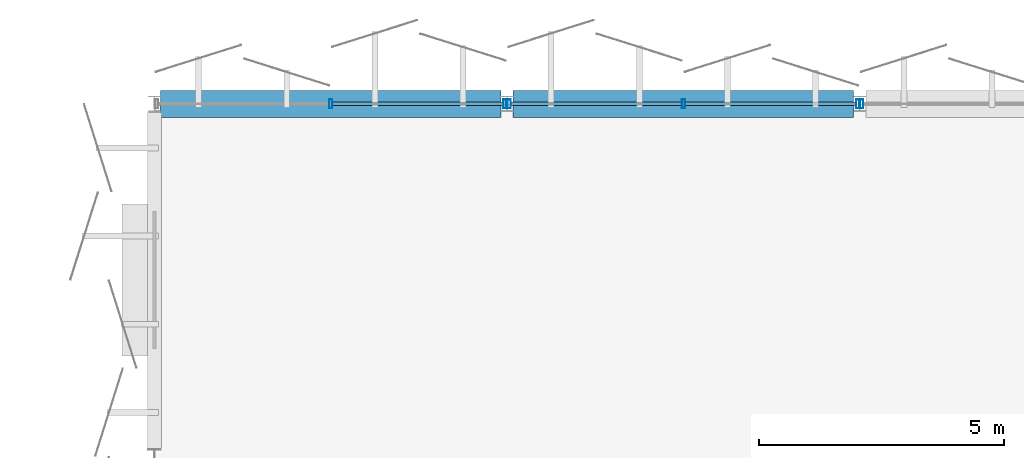
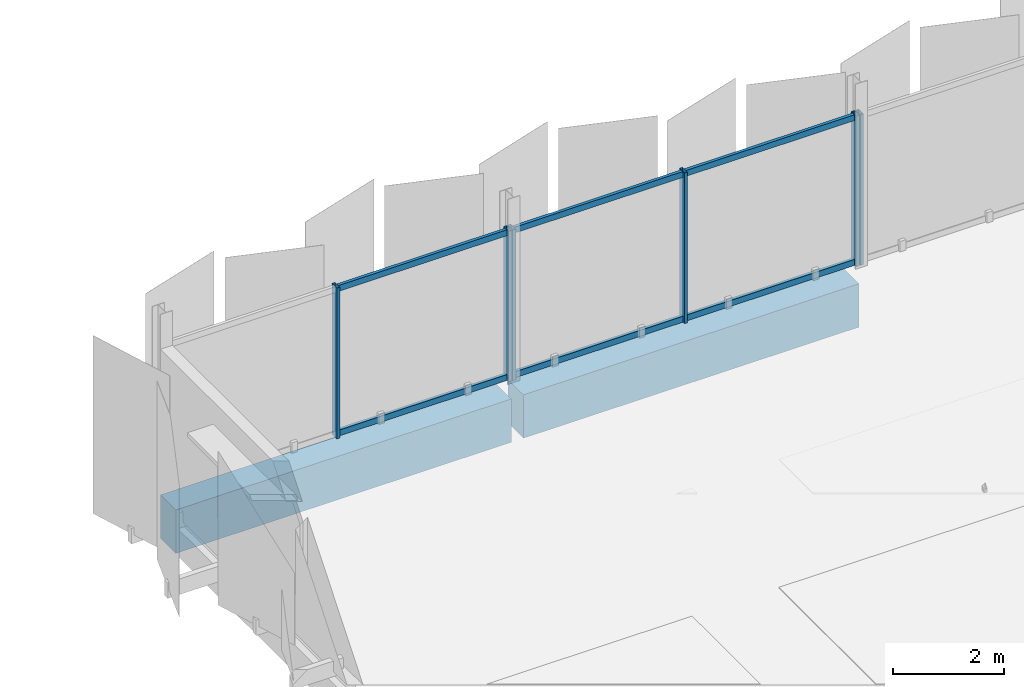
# One storey, part 26 of 77: 12 members, 2 beams, 3 elements without a shape of their own.
"""IFC4 building model written with IfcOpenShell, lengths in metres."""

from ifc_helpers import new_model, si_unit, direction, frame, origin, origin_2d, place, context, subcontext, project, spatial, rectangle, hollow_rectangle, extrude, material, layer, layer_set, material_profile, profile_set, type_object, element, aggregate, save


model = new_model("IFC4")

# Units and contexts
model_context = context("Model", 3, precision=1e-05, world=origin(), true_north=direction((0.0, 1.0)))
body_context = subcontext(model_context, "Body", "Model", "MODEL_VIEW")
ifc_project = project(units=[si_unit("LENGTHUNIT", "METRE"), si_unit("AREAUNIT", "SQUARE_METRE"), si_unit("VOLUMEUNIT", "CUBIC_METRE"), si_unit("PLANEANGLEUNIT", "RADIAN"), si_unit("MASSUNIT", "GRAM", prefix="KILO")], contexts=[model_context])

# Site, building, storey
site_placement = place(None, origin())
site = spatial("IfcSite", under=ifc_project, at=site_placement, CompositionType="ELEMENT")
building_placement = place(site_placement, origin())
building = spatial("IfcBuilding", under=site, at=building_placement, Name="Kangsadwip Square Police Headquarters", CompositionType="ELEMENT")
storey_placement = place(building_placement, frame((0.0, 0.0, 17.550048828125)))
storey = spatial("IfcBuildingStorey", under=building, at=storey_placement, Name="L04", CompositionType="ELEMENT", Elevation=17.550048828125)

# Curtain wall, members
ifc_material_1 = material(Name="Thermally broken anodised aluminium AW-6063-T6", Category="aluminium")
ifc_layer = layer(ifc_material_1, 0.159912109375)
ifc_layer_set = layer_set([ifc_layer], Name="Thermally broken anodised aluminium AW-6063-T6")
curtain_wall_type = type_object("IfcCurtainWallType", Name="UnitisedCw7180x3300", PredefinedType="NOTDEFINED", material=ifc_layer_set)
curtain_wall_1_placement = place(storey_placement, origin())
curtain_wall_1 = element("IfcCurtainWall", 1, at=curtain_wall_1_placement, inside=storey, type_object=curtain_wall_type, Name="Curtain Wall CW-L04-0936-1152", PredefinedType="NOTDEFINED")
ifc_material_2 = material(Name="Thermally broken anodised aluminium AW-6063-T6", Category="aluminium")
ifc_material_profile_1 = material_profile(ifc_material_2, hollow_rectangle(XDim=0.06494140625, YDim=0.179931640625, WallThickness=0.00390625, at=origin_2d()), Name="CWM 180X65X4")
ifc_profile_set_1 = profile_set([ifc_material_profile_1], Name="Thermally broken anodised aluminium AW-6063-T6")
member_type_1 = type_object("IfcMemberType", Name="CwMullion160x65", PredefinedType="MULLION", material=ifc_profile_set_1)
member_1_placement = place(storey_placement, frame((97.199951171875, 115.199951171875, 0.0), z_axis=(0.0, 0.0, 1.0), x_axis=(1.0, 0.0, 0.0)))
member_1 = element("IfcMember", 2, at=member_1_placement, type_object=member_type_1, Name="CW-43 mullion 2", PredefinedType="MULLION", context=body_context, shape_type="SweptSolid", body=[
    extrude(hollow_rectangle(XDim=0.06494140625, YDim=0.179931640625, WallThickness=0.00390625, at=origin_2d()), origin(), (0.0, 0.0, 1.0), 3.300048828125),
])
member_2_placement = place(storey_placement, frame((100.757568359375, 115.199951171875, 0.0), z_axis=(0.0, 0.0, 1.0), x_axis=(1.0, 0.0, 0.0)))
member_2 = element("IfcMember", 3, at=member_2_placement, type_object=member_type_1, Name="CW-43 mullion 3", PredefinedType="MULLION", context=body_context, shape_type="SweptSolid", body=[
    extrude(hollow_rectangle(XDim=0.06494140625, YDim=0.179931640625, WallThickness=0.00390625, at=origin_2d()), origin(), (0.0, 0.0, 1.0), 3.300048828125),
])

curtain_wall_2_placement = place(storey_placement, origin())
curtain_wall_2 = element("IfcCurtainWall", 4, at=curtain_wall_2_placement, inside=storey, type_object=curtain_wall_type, Name="Curtain Wall CW-L04-1008-1152", PredefinedType="NOTDEFINED")
member_3_placement = place(storey_placement, frame((100.842529296875, 115.199951171875, 0.0), z_axis=(0.0, 0.0, 1.0), x_axis=(1.0, 0.0, 0.0)))
member_3 = element("IfcMember", 5, at=member_3_placement, type_object=member_type_1, Name="CW-43 mullion 1", PredefinedType="MULLION", context=body_context, shape_type="SweptSolid", body=[
    extrude(hollow_rectangle(XDim=0.06494140625, YDim=0.179931640625, WallThickness=0.00390625, at=origin_2d()), origin(), (0.0, 0.0, 1.0), 3.300048828125),
])
member_4_placement = place(storey_placement, frame((104.39990234375, 115.199951171875, 0.0), z_axis=(0.0, 0.0, 1.0), x_axis=(1.0, 0.0, 0.0)))
member_4 = element("IfcMember", 6, at=member_4_placement, type_object=member_type_1, Name="CW-43 mullion 2", PredefinedType="MULLION", context=body_context, shape_type="SweptSolid", body=[
    extrude(hollow_rectangle(XDim=0.06494140625, YDim=0.179931640625, WallThickness=0.00390625, at=origin_2d()), origin(), (0.0, 0.0, 1.0), 3.300048828125),
])
member_5_placement = place(storey_placement, frame((107.95751953125, 115.199951171875, 0.0), z_axis=(0.0, 0.0, 1.0), x_axis=(1.0, 0.0, 0.0)))
member_5 = element("IfcMember", 7, at=member_5_placement, type_object=member_type_1, Name="CW-43 mullion 3", PredefinedType="MULLION", context=body_context, shape_type="SweptSolid", body=[
    extrude(hollow_rectangle(XDim=0.06494140625, YDim=0.179931640625, WallThickness=0.00390625, at=origin_2d()), origin(), (0.0, 0.0, 1.0), 3.300048828125),
])

# Curtain wall, member
curtain_wall_3_placement = place(storey_placement, origin())
curtain_wall_3 = element("IfcCurtainWall", 8, at=curtain_wall_3_placement, inside=storey, type_object=curtain_wall_type, Name="Curtain Wall CW-L04-1080-1152", PredefinedType="NOTDEFINED")
member_6_placement = place(storey_placement, frame((108.04248046875, 115.199951171875, 0.0), z_axis=(0.0, 0.0, 1.0), x_axis=(1.0, 0.0, 0.0)))
member_6 = element("IfcMember", 9, at=member_6_placement, type_object=member_type_1, Name="CW-43 mullion 1", PredefinedType="MULLION", context=body_context, shape_type="SweptSolid", body=[
    extrude(hollow_rectangle(XDim=0.06494140625, YDim=0.179931640625, WallThickness=0.00390625, at=origin_2d()), origin(), (0.0, 0.0, 1.0), 3.300048828125),
])
aggregate(curtain_wall_3, [member_6])

# Member
ifc_material_3 = material(Name="Thermally broken anodised aluminium AW-6063-T6", Category="aluminium")
ifc_material_profile_2 = material_profile(ifc_material_3, hollow_rectangle(XDim=0.06494140625, YDim=0.1298828125, WallThickness=0.00390625, at=origin_2d()), Name="CWT 130X65X4")
ifc_profile_set_2 = profile_set([ifc_material_profile_2], Name="Thermally broken anodised aluminium AW-6063-T6")
member_type_2 = type_object("IfcMemberType", Name="CwTransom140x60", PredefinedType="USERDEFINED", material=ifc_profile_set_2)
member_7_placement = place(storey_placement, frame((97.232421875, 115.199951171875, 0.06494140625), z_axis=(1.0, 0.0, 0.0), x_axis=(0.0, 1.0, 0.0)))
member_7 = element("IfcMember", 10, at=member_7_placement, type_object=member_type_2, Name="CW-43 transom 2.1", ObjectType="TRANSOM", PredefinedType="USERDEFINED", context=body_context, shape_type="SweptSolid", body=[
    extrude(hollow_rectangle(XDim=0.06494140625, YDim=0.1298828125, WallThickness=0.00390625, at=origin_2d()), origin(), (0.0, 0.0, 1.0), 3.49267578125),
])

member_8_placement = place(storey_placement, frame((97.232421875, 115.199951171875, 3.23486328125), z_axis=(1.0, 0.0, 0.0), x_axis=(0.0, 1.0, 0.0)))
member_8 = element("IfcMember", 11, at=member_8_placement, type_object=member_type_2, Name="CW-43 transom 2.2", ObjectType="TRANSOM", PredefinedType="USERDEFINED", context=body_context, shape_type="SweptSolid", body=[
    extrude(hollow_rectangle(XDim=0.06494140625, YDim=0.1298828125, WallThickness=0.00390625, at=origin_2d()), origin(), (0.0, 0.0, 1.0), 3.49267578125),
])

aggregate(curtain_wall_1, [member_1, member_2, member_7, member_8])

member_9_placement = place(storey_placement, frame((100.875, 115.199951171875, 0.06494140625), z_axis=(1.0, 0.0, 0.0), x_axis=(0.0, 1.0, 0.0)))
member_9 = element("IfcMember", 12, at=member_9_placement, type_object=member_type_2, Name="CW-43 transom 1.1", ObjectType="TRANSOM", PredefinedType="USERDEFINED", context=body_context, shape_type="SweptSolid", body=[
    extrude(hollow_rectangle(XDim=0.06494140625, YDim=0.1298828125, WallThickness=0.00390625, at=origin_2d()), origin(), (0.0, 0.0, 1.0), 3.492431640625),
])

member_10_placement = place(storey_placement, frame((100.875, 115.199951171875, 3.23486328125), z_axis=(1.0, 0.0, 0.0), x_axis=(0.0, 1.0, 0.0)))
member_10 = element("IfcMember", 13, at=member_10_placement, type_object=member_type_2, Name="CW-43 transom 1.2", ObjectType="TRANSOM", PredefinedType="USERDEFINED", context=body_context, shape_type="SweptSolid", body=[
    extrude(hollow_rectangle(XDim=0.06494140625, YDim=0.1298828125, WallThickness=0.00390625, at=origin_2d()), origin(), (0.0, 0.0, 1.0), 3.492431640625),
])

member_11_placement = place(storey_placement, frame((104.4326171875, 115.199951171875, 0.06494140625), z_axis=(1.0, 0.0, 0.0), x_axis=(0.0, 1.0, 0.0)))
member_11 = element("IfcMember", 14, at=member_11_placement, type_object=member_type_2, Name="CW-43 transom 2.1", ObjectType="TRANSOM", PredefinedType="USERDEFINED", context=body_context, shape_type="SweptSolid", body=[
    extrude(hollow_rectangle(XDim=0.06494140625, YDim=0.1298828125, WallThickness=0.00390625, at=origin_2d()), origin(), (0.0, 0.0, 1.0), 3.492431640625),
])

member_12_placement = place(storey_placement, frame((104.4326171875, 115.199951171875, 3.23486328125), z_axis=(1.0, 0.0, 0.0), x_axis=(0.0, 1.0, 0.0)))
member_12 = element("IfcMember", 15, at=member_12_placement, type_object=member_type_2, Name="CW-43 transom 2.2", ObjectType="TRANSOM", PredefinedType="USERDEFINED", context=body_context, shape_type="SweptSolid", body=[
    extrude(hollow_rectangle(XDim=0.06494140625, YDim=0.1298828125, WallThickness=0.00390625, at=origin_2d()), origin(), (0.0, 0.0, 1.0), 3.492431640625),
])

aggregate(curtain_wall_2, [member_3, member_4, member_5, member_9, member_10, member_11, member_12])

# Beams
ifc_material_4 = material(Name="Concrete M40 (40 MPa)", Category="concrete")
ifc_material_profile_3 = material_profile(ifc_material_4, rectangle(XDim=0.550048828125, YDim=0.949951171875, at=origin_2d()), Name="RC TG 950X550")
ifc_profile_set_3 = profile_set([ifc_material_profile_3], Name="Concrete M40 (40 MPa)")
beam_type = type_object("IfcBeamType", Name="RcTransfer950x550", PredefinedType="USERDEFINED", material=ifc_profile_set_3)
for number, where, z_axis, x_axis, name in (
    (16, (93.72509765625, 115.199951171875, -0.715087890625), (1.0, 0.0, 0.0), (0.0, 1.0, 0.0), "Beam BM-L04-X-13-16"),
    (17, (100.925048828125, 115.199951171875, -0.715087890625), (1.0, 0.0, 0.0), (0.0, 1.0, 0.0), "Beam BM-L04-X-14-16"),
):
    element("IfcBeam", number, at=place(storey_placement, frame(where, z_axis=z_axis, x_axis=x_axis)), inside=storey, type_object=beam_type, Name=name, ObjectType="TRANSFER_GIRDER", PredefinedType="USERDEFINED", context=body_context, shape_type="SweptSolid", body=[
        extrude(rectangle(XDim=0.550048828125, YDim=0.949951171875, at=origin_2d()), origin(), (0.0, 0.0, 1.0), 6.949951171875),
    ])

save(model, "model.ifc")
